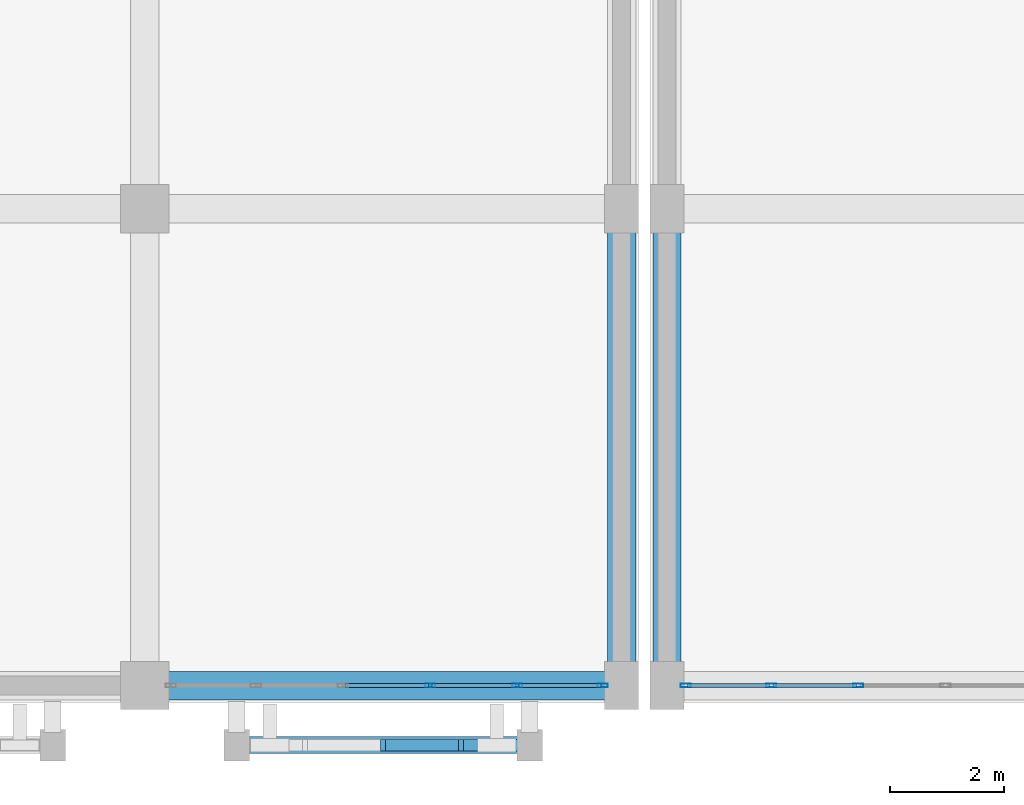
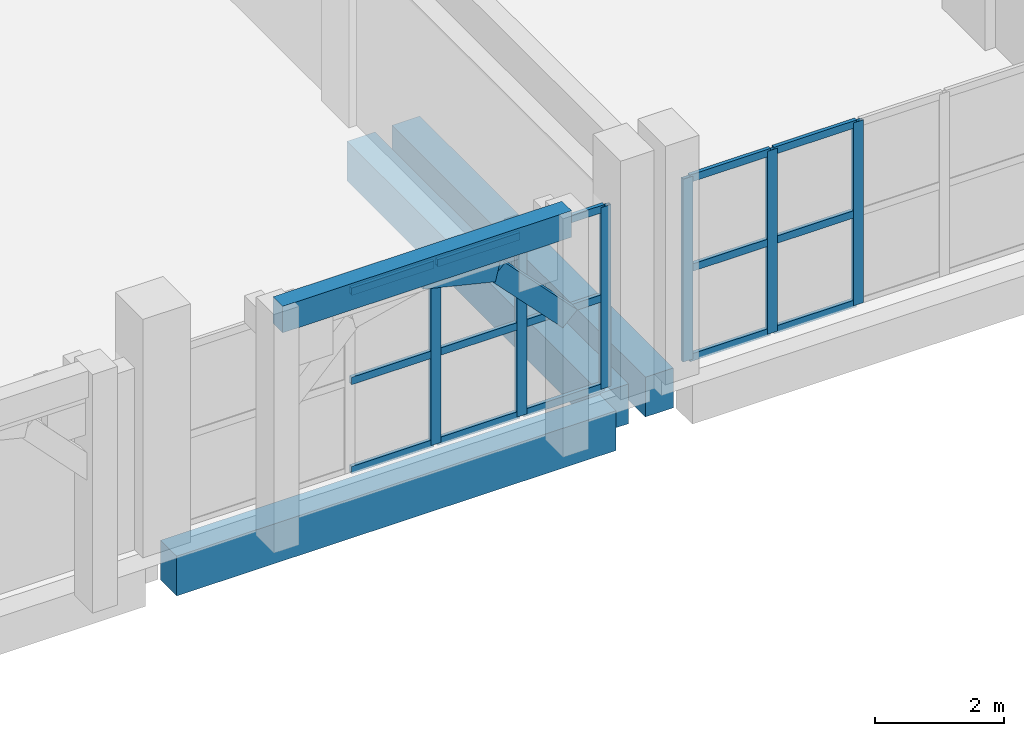
# One storey, part 30 of 137: 23 members, 4 beams, 2 elements without a shape of their own.
"""IFC4 building model written with IfcOpenShell, lengths in metres."""

from ifc_helpers import new_model, si_unit, direction, frame, origin, origin_2d, place, context, subcontext, project, spatial, rectangle, hollow_rectangle, extrude, material, layer, layer_set, material_profile, profile_set, type_object, element, aggregate, save


model = new_model("IFC4")

# Units and contexts
model_context = context("Model", 3, precision=1e-05, world=origin(), true_north=direction((0.0, 1.0)))
body_context = subcontext(model_context, "Body", "Model", "MODEL_VIEW")
ifc_project = project(units=[si_unit("LENGTHUNIT", "METRE"), si_unit("AREAUNIT", "SQUARE_METRE"), si_unit("VOLUMEUNIT", "CUBIC_METRE"), si_unit("PLANEANGLEUNIT", "RADIAN"), si_unit("MASSUNIT", "GRAM", prefix="KILO")], contexts=[model_context])

# Site, building, storey
site_placement = place(None, origin())
site = spatial("IfcSite", under=ifc_project, at=site_placement, CompositionType="ELEMENT")
building_placement = place(site_placement, origin())
building = spatial("IfcBuilding", under=site, at=building_placement, Name="Xazarin Passage Department Store", CompositionType="ELEMENT")
storey_placement = place(building_placement, frame((0.0, 0.0, 5.39990234375)))
storey = spatial("IfcBuildingStorey", under=building, at=storey_placement, Name="L01", CompositionType="ELEMENT", Elevation=5.39990234375)

# Curtain wall, members
ifc_material_1 = material(Name="Bronze anodised aluminium", Category="aluminium")
ifc_layer_1 = layer(ifc_material_1, 0.159912109375)
ifc_layer_set_1 = layer_set([ifc_layer_1], Name="Bronze anodised aluminium")
curtain_wall_type_1 = type_object("IfcCurtainWallType", Name="ARC-CW-ARC1", PredefinedType="NOTDEFINED", material=ifc_layer_set_1)
curtain_wall_1_placement = place(storey_placement, origin())
curtain_wall_1 = element("IfcCurtainWall", 1, at=curtain_wall_1_placement, inside=storey, type_object=curtain_wall_type_1, Name="L01 V2S Curtain Wall 100", PredefinedType="NOTDEFINED")
ifc_material_profile_1 = material_profile(ifc_material_1, hollow_rectangle(XDim=0.06494140625, YDim=0.179931640625, WallThickness=0.00390625, at=origin_2d()), Name="ALU 65x180")
ifc_profile_set_1 = profile_set([ifc_material_profile_1], Name="Bronze anodised aluminium")
member_type_1 = type_object("IfcMemberType", Name="ARC-CWM-65x180", PredefinedType="MULLION", material=ifc_profile_set_1)
member_1_placement = place(storey_placement, frame((68.33251953125, 0.0, 0.0), z_axis=(0.0, 0.0, 1.0), x_axis=(0.0, 1.0, 0.0)))
member_1 = element("IfcMember", 2, at=member_1_placement, type_object=member_type_1, Name="CW3 mullion 1", PredefinedType="MULLION", context=body_context, shape_type="SweptSolid", body=[
    extrude(hollow_rectangle(XDim=0.06494140625, YDim=0.179931640625, WallThickness=0.00390625, at=origin_2d()), origin(), (0.0, 0.0, 1.0), 3.4501953125),
])
member_2_placement = place(storey_placement, frame((69.8349609375, 0.0, 0.0), z_axis=(0.0, 0.0, 1.0), x_axis=(0.0, 1.0, 0.0)))
member_2 = element("IfcMember", 3, at=member_2_placement, type_object=member_type_1, Name="CW3 mullion 2", PredefinedType="MULLION", context=body_context, shape_type="SweptSolid", body=[
    extrude(hollow_rectangle(XDim=0.06494140625, YDim=0.179931640625, WallThickness=0.00390625, at=origin_2d()), origin(), (0.0, 0.0, 1.0), 3.4501953125),
])
member_3_placement = place(storey_placement, frame((71.3701171875, 0.0, 0.0), z_axis=(0.0, 0.0, 1.0), x_axis=(0.0, 1.0, 0.0)))
member_3 = element("IfcMember", 4, at=member_3_placement, type_object=member_type_1, Name="CW3 mullion 3", PredefinedType="MULLION", context=body_context, shape_type="SweptSolid", body=[
    extrude(hollow_rectangle(XDim=0.06494140625, YDim=0.179931640625, WallThickness=0.00390625, at=origin_2d()), origin(), (0.0, 0.0, 1.0), 3.4501953125),
])

ifc_layer_2 = layer(ifc_material_1, 0.18994140625)
ifc_layer_set_2 = layer_set([ifc_layer_2], Name="Bronze anodised aluminium")
curtain_wall_type_2 = type_object("IfcCurtainWallType", Name="ARC-CW-FDH1", PredefinedType="NOTDEFINED", material=ifc_layer_set_2)
curtain_wall_2_placement = place(storey_placement, origin())
curtain_wall_2 = element("IfcCurtainWall", 5, at=curtain_wall_2_placement, inside=storey, type_object=curtain_wall_type_2, Name="L01 V3 Curtain Wall 126", PredefinedType="NOTDEFINED")
member_4_placement = place(storey_placement, frame((63.830078125, 0.0, 0.0), z_axis=(0.0, 0.0, 1.0), x_axis=(0.0, 1.0, 0.0)))
member_4 = element("IfcMember", 6, at=member_4_placement, type_object=member_type_1, Name="CW5 mullion 4", PredefinedType="MULLION", context=body_context, shape_type="SweptSolid", body=[
    extrude(hollow_rectangle(XDim=0.06494140625, YDim=0.179931640625, WallThickness=0.00390625, at=origin_2d()), origin(), (0.0, 0.0, 1.0), 3.43017578125),
])
member_5_placement = place(storey_placement, frame((65.364990234375, 0.0, 0.0), z_axis=(0.0, 0.0, 1.0), x_axis=(0.0, 1.0, 0.0)))
member_5 = element("IfcMember", 7, at=member_5_placement, type_object=member_type_1, Name="CW5 mullion 5", PredefinedType="MULLION", context=body_context, shape_type="SweptSolid", body=[
    extrude(hollow_rectangle(XDim=0.06494140625, YDim=0.179931640625, WallThickness=0.00390625, at=origin_2d()), origin(), (0.0, 0.0, 1.0), 3.43017578125),
])
member_6_placement = place(storey_placement, frame((66.867431640625, 0.0, 0.0), z_axis=(0.0, 0.0, 1.0), x_axis=(0.0, 1.0, 0.0)))
member_6 = element("IfcMember", 8, at=member_6_placement, type_object=member_type_1, Name="CW5 mullion 6", PredefinedType="MULLION", context=body_context, shape_type="SweptSolid", body=[
    extrude(hollow_rectangle(XDim=0.06494140625, YDim=0.179931640625, WallThickness=0.00390625, at=origin_2d()), origin(), (0.0, 0.0, 1.0), 3.43017578125),
])

# Member
ifc_material_profile_2 = material_profile(ifc_material_1, hollow_rectangle(XDim=0.06494140625, YDim=0.139892578125, WallThickness=0.00390625, at=origin_2d()), Name="ALU 65x140")
ifc_profile_set_2 = profile_set([ifc_material_profile_2], Name="Bronze anodised aluminium")
member_type_2 = type_object("IfcMemberType", Name="ARC-CWT-65x140", PredefinedType="USERDEFINED", material=ifc_profile_set_2)
member_7_placement = place(storey_placement, frame((68.364990234375, 0.0, 0.03271484375), z_axis=(1.0, 0.0, 0.0), x_axis=(0.0, 1.0, 0.0)))
member_7 = element("IfcMember", 9, at=member_7_placement, type_object=member_type_2, Name="CW3 transom 1.1", ObjectType="TRANSOM", PredefinedType="USERDEFINED", context=body_context, shape_type="SweptSolid", body=[
    extrude(hollow_rectangle(XDim=0.06494140625, YDim=0.139892578125, WallThickness=0.00390625, at=origin_2d()), origin(), (0.0, 0.0, 1.0), 1.4375),
])

member_8_placement = place(storey_placement, frame((68.364990234375, 0.0, 1.72509765625), z_axis=(1.0, 0.0, 0.0), x_axis=(0.0, 1.0, 0.0)))
member_8 = element("IfcMember", 10, at=member_8_placement, type_object=member_type_2, Name="CW3 transom 1.2", ObjectType="TRANSOM", PredefinedType="USERDEFINED", context=body_context, shape_type="SweptSolid", body=[
    extrude(hollow_rectangle(XDim=0.06494140625, YDim=0.139892578125, WallThickness=0.00390625, at=origin_2d()), origin(), (0.0, 0.0, 1.0), 1.4375),
])

member_9_placement = place(storey_placement, frame((68.364990234375, 0.0, 3.41748046875), z_axis=(1.0, 0.0, 0.0), x_axis=(0.0, 1.0, 0.0)))
member_9 = element("IfcMember", 11, at=member_9_placement, type_object=member_type_2, Name="CW3 transom 1.3", ObjectType="TRANSOM", PredefinedType="USERDEFINED", context=body_context, shape_type="SweptSolid", body=[
    extrude(hollow_rectangle(XDim=0.06494140625, YDim=0.139892578125, WallThickness=0.00390625, at=origin_2d()), origin(), (0.0, 0.0, 1.0), 1.4375),
])

member_10_placement = place(storey_placement, frame((69.867431640625, 0.0, 0.03271484375), z_axis=(1.0, 0.0, 0.0), x_axis=(0.0, 1.0, 0.0)))
member_10 = element("IfcMember", 12, at=member_10_placement, type_object=member_type_2, Name="CW3 transom 2.1", ObjectType="TRANSOM", PredefinedType="USERDEFINED", context=body_context, shape_type="SweptSolid", body=[
    extrude(hollow_rectangle(XDim=0.06494140625, YDim=0.139892578125, WallThickness=0.00390625, at=origin_2d()), origin(), (0.0, 0.0, 1.0), 1.469970703125),
])

member_11_placement = place(storey_placement, frame((69.867431640625, 0.0, 1.72509765625), z_axis=(1.0, 0.0, 0.0), x_axis=(0.0, 1.0, 0.0)))
member_11 = element("IfcMember", 13, at=member_11_placement, type_object=member_type_2, Name="CW3 transom 2.2", ObjectType="TRANSOM", PredefinedType="USERDEFINED", context=body_context, shape_type="SweptSolid", body=[
    extrude(hollow_rectangle(XDim=0.06494140625, YDim=0.139892578125, WallThickness=0.00390625, at=origin_2d()), origin(), (0.0, 0.0, 1.0), 1.469970703125),
])

member_12_placement = place(storey_placement, frame((69.867431640625, 0.0, 3.41748046875), z_axis=(1.0, 0.0, 0.0), x_axis=(0.0, 1.0, 0.0)))
member_12 = element("IfcMember", 14, at=member_12_placement, type_object=member_type_2, Name="CW3 transom 2.3", ObjectType="TRANSOM", PredefinedType="USERDEFINED", context=body_context, shape_type="SweptSolid", body=[
    extrude(hollow_rectangle(XDim=0.06494140625, YDim=0.139892578125, WallThickness=0.00390625, at=origin_2d()), origin(), (0.0, 0.0, 1.0), 1.469970703125),
])

aggregate(curtain_wall_1, [member_1, member_2, member_3, member_7, member_8, member_9, member_10, member_11, member_12])

member_13_placement = place(storey_placement, frame((62.327392578125, 0.0, 0.03271484375), z_axis=(1.0, 0.0, 0.0), x_axis=(0.0, 1.0, 0.0)))
member_13 = element("IfcMember", 15, at=member_13_placement, type_object=member_type_2, Name="CW5 transom 3.1", ObjectType="TRANSOM", PredefinedType="USERDEFINED", context=body_context, shape_type="SweptSolid", body=[
    extrude(hollow_rectangle(XDim=0.06494140625, YDim=0.139892578125, WallThickness=0.00390625, at=origin_2d()), origin(), (0.0, 0.0, 1.0), 1.47021484375),
])

member_14_placement = place(storey_placement, frame((62.327392578125, 0.0, 1.715087890625), z_axis=(1.0, 0.0, 0.0), x_axis=(0.0, 1.0, 0.0)))
member_14 = element("IfcMember", 16, at=member_14_placement, type_object=member_type_2, Name="CW5 transom 3.2", ObjectType="TRANSOM", PredefinedType="USERDEFINED", context=body_context, shape_type="SweptSolid", body=[
    extrude(hollow_rectangle(XDim=0.06494140625, YDim=0.139892578125, WallThickness=0.00390625, at=origin_2d()), origin(), (0.0, 0.0, 1.0), 1.47021484375),
])

member_15_placement = place(storey_placement, frame((62.327392578125, 0.0, 3.397705078125), z_axis=(1.0, 0.0, 0.0), x_axis=(0.0, 1.0, 0.0)))
member_15 = element("IfcMember", 17, at=member_15_placement, type_object=member_type_2, Name="CW5 transom 3.3", ObjectType="TRANSOM", PredefinedType="USERDEFINED", context=body_context, shape_type="SweptSolid", body=[
    extrude(hollow_rectangle(XDim=0.06494140625, YDim=0.139892578125, WallThickness=0.00390625, at=origin_2d()), origin(), (0.0, 0.0, 1.0), 1.47021484375),
])

member_16_placement = place(storey_placement, frame((63.862548828125, 0.0, 0.03271484375), z_axis=(1.0, 0.0, 0.0), x_axis=(0.0, 1.0, 0.0)))
member_16 = element("IfcMember", 18, at=member_16_placement, type_object=member_type_2, Name="CW5 transom 4.1", ObjectType="TRANSOM", PredefinedType="USERDEFINED", context=body_context, shape_type="SweptSolid", body=[
    extrude(hollow_rectangle(XDim=0.06494140625, YDim=0.139892578125, WallThickness=0.00390625, at=origin_2d()), origin(), (0.0, 0.0, 1.0), 1.469970703125),
])

member_17_placement = place(storey_placement, frame((63.862548828125, 0.0, 1.715087890625), z_axis=(1.0, 0.0, 0.0), x_axis=(0.0, 1.0, 0.0)))
member_17 = element("IfcMember", 19, at=member_17_placement, type_object=member_type_2, Name="CW5 transom 4.2", ObjectType="TRANSOM", PredefinedType="USERDEFINED", context=body_context, shape_type="SweptSolid", body=[
    extrude(hollow_rectangle(XDim=0.06494140625, YDim=0.139892578125, WallThickness=0.00390625, at=origin_2d()), origin(), (0.0, 0.0, 1.0), 1.469970703125),
])

member_18_placement = place(storey_placement, frame((63.862548828125, 0.0, 3.397705078125), z_axis=(1.0, 0.0, 0.0), x_axis=(0.0, 1.0, 0.0)))
member_18 = element("IfcMember", 20, at=member_18_placement, type_object=member_type_2, Name="CW5 transom 4.3", ObjectType="TRANSOM", PredefinedType="USERDEFINED", context=body_context, shape_type="SweptSolid", body=[
    extrude(hollow_rectangle(XDim=0.06494140625, YDim=0.139892578125, WallThickness=0.00390625, at=origin_2d()), origin(), (0.0, 0.0, 1.0), 1.469970703125),
])

member_19_placement = place(storey_placement, frame((65.3974609375, 0.0, 0.03271484375), z_axis=(1.0, 0.0, 0.0), x_axis=(0.0, 1.0, 0.0)))
member_19 = element("IfcMember", 21, at=member_19_placement, type_object=member_type_2, Name="CW5 transom 5.1", ObjectType="TRANSOM", PredefinedType="USERDEFINED", context=body_context, shape_type="SweptSolid", body=[
    extrude(hollow_rectangle(XDim=0.06494140625, YDim=0.139892578125, WallThickness=0.00390625, at=origin_2d()), origin(), (0.0, 0.0, 1.0), 1.4375),
])

member_20_placement = place(storey_placement, frame((65.3974609375, 0.0, 1.715087890625), z_axis=(1.0, 0.0, 0.0), x_axis=(0.0, 1.0, 0.0)))
member_20 = element("IfcMember", 22, at=member_20_placement, type_object=member_type_2, Name="CW5 transom 5.2", ObjectType="TRANSOM", PredefinedType="USERDEFINED", context=body_context, shape_type="SweptSolid", body=[
    extrude(hollow_rectangle(XDim=0.06494140625, YDim=0.139892578125, WallThickness=0.00390625, at=origin_2d()), origin(), (0.0, 0.0, 1.0), 1.4375),
])

member_21_placement = place(storey_placement, frame((65.3974609375, 0.0, 3.397705078125), z_axis=(1.0, 0.0, 0.0), x_axis=(0.0, 1.0, 0.0)))
member_21 = element("IfcMember", 23, at=member_21_placement, type_object=member_type_2, Name="CW5 transom 5.3", ObjectType="TRANSOM", PredefinedType="USERDEFINED", context=body_context, shape_type="SweptSolid", body=[
    extrude(hollow_rectangle(XDim=0.06494140625, YDim=0.139892578125, WallThickness=0.00390625, at=origin_2d()), origin(), (0.0, 0.0, 1.0), 1.4375),
])

aggregate(curtain_wall_2, [member_4, member_5, member_6, member_13, member_14, member_15, member_16, member_17, member_18, member_19, member_20, member_21])

# Beams
ifc_material_2 = material(Name="Concrete C35/45", Category="concrete")
ifc_material_profile_3 = material_profile(ifc_material_2, rectangle(XDim=0.300048828125, YDim=0.5, at=origin_2d()), Name="RC 300x500")
ifc_profile_set_3 = profile_set([ifc_material_profile_3], Name="Concrete C35/45")
beam_type_1 = type_object("IfcBeamType", Name="STR-BM-LN300x500", PredefinedType="LINTEL", material=ifc_profile_set_3)
beam_1_placement = place(storey_placement, frame((60.419921875, -1.050048828125, 4.25), z_axis=(1.0, 0.0, 0.0), x_axis=(0.0, 1.0, 0.0)))
element("IfcBeam", 24, at=beam_1_placement, inside=storey, type_object=beam_type_1, Name="L01 V3 Colonnade Spandrel Beam 033", PredefinedType="LINTEL", context=body_context, shape_type="SweptSolid", body=[
    extrude(rectangle(XDim=0.300048828125, YDim=0.5, at=origin_2d()), origin(), (0.0, 0.0, 1.0), 5.16015625),
])
ifc_material_profile_4 = material_profile(ifc_material_2, rectangle(XDim=0.5, YDim=0.75, at=origin_2d()), Name="RC 500x750")
ifc_profile_set_4 = profile_set([ifc_material_profile_4], Name="Concrete C35/45")
beam_type_2 = type_object("IfcBeamType", Name="STR-BM-SP500x750", PredefinedType="SPANDREL", material=ifc_profile_set_4)
beam_2_placement = place(storey_placement, frame((68.0, 0.280029296875, -0.6748046875), z_axis=(0.0, 1.0, 0.0), x_axis=(-1.0, 0.0, 0.0)))
element("IfcBeam", 25, at=beam_2_placement, inside=storey, type_object=beam_type_2, Name="L01 Grid Beam 10/A-B", PredefinedType="SPANDREL", context=body_context, shape_type="SweptSolid", body=[
    extrude(rectangle(XDim=0.5, YDim=0.75, at=origin_2d()), origin(), (0.0, 0.0, 1.0), 7.840087890625),
])
beam_3_placement = place(storey_placement, frame((59.080078125, 0.0, -0.69482421875), z_axis=(1.0, 0.0, 0.0), x_axis=(0.0, 1.0, 0.0)))
element("IfcBeam", 26, at=beam_3_placement, inside=storey, type_object=beam_type_2, Name="L01 Grid Beam A/8-9", PredefinedType="SPANDREL", context=body_context, shape_type="SweptSolid", body=[
    extrude(rectangle(XDim=0.5, YDim=0.75, at=origin_2d()), origin(), (0.0, 0.0, 1.0), 7.83984375),
])
beam_4_placement = place(storey_placement, frame((67.199951171875, 0.280029296875, -0.69482421875), z_axis=(0.0, 1.0, 0.0), x_axis=(-1.0, 0.0, 0.0)))
element("IfcBeam", 27, at=beam_4_placement, inside=storey, type_object=beam_type_2, Name="L01 Grid Beam 9/A-B", PredefinedType="SPANDREL", context=body_context, shape_type="SweptSolid", body=[
    extrude(rectangle(XDim=0.5, YDim=0.75, at=origin_2d()), origin(), (0.0, 0.0, 1.0), 7.840087890625),
])

# Members
ifc_material_3 = material(Name="Concrete C40/50", Category="concrete")
ifc_material_profile_5 = material_profile(ifc_material_3, rectangle(XDim=0.199951171875, YDim=0.360107421875, at=origin_2d()), Name="RC 200x360")
ifc_profile_set_5 = profile_set([ifc_material_profile_5], Name="Concrete C40/50")
member_type_3 = type_object("IfcMemberType", Name="STR-MEM-ARC360", PredefinedType="CHORD", material=ifc_profile_set_5)
member_22_placement = place(storey_placement, frame((63.0, -1.050048828125, 4.080078125), z_axis=(0.972393983317, 0.0, -0.233345111818), x_axis=(0.0, 1.0, 0.0)))
element("IfcMember", 28, at=member_22_placement, inside=storey, type_object=member_type_3, Name="L01 V3 Pierced Lattice Curved Arch 033.3", PredefinedType="CHORD", context=body_context, shape_type="SweptSolid", body=[
    extrude(rectangle(XDim=0.199951171875, YDim=0.360107421875, at=origin_2d()), origin(), (0.0, 0.0, 1.0), 1.32666015625),
])
member_23_placement = place(storey_placement, frame((64.2900390625, -1.050048828125, 3.7705078125), z_axis=(0.693460080602, 0.0, -0.720495049679), x_axis=(0.0, 1.0, 0.0)))
element("IfcMember", 29, at=member_23_placement, inside=storey, type_object=member_type_3, Name="L01 V3 Pierced Lattice Curved Arch 033.4", PredefinedType="CHORD", context=body_context, shape_type="SweptSolid", body=[
    extrude(rectangle(XDim=0.199951171875, YDim=0.360107421875, at=origin_2d()), origin(), (0.0, 0.0, 1.0), 1.8603515625),
])

save(model, "model.ifc")
